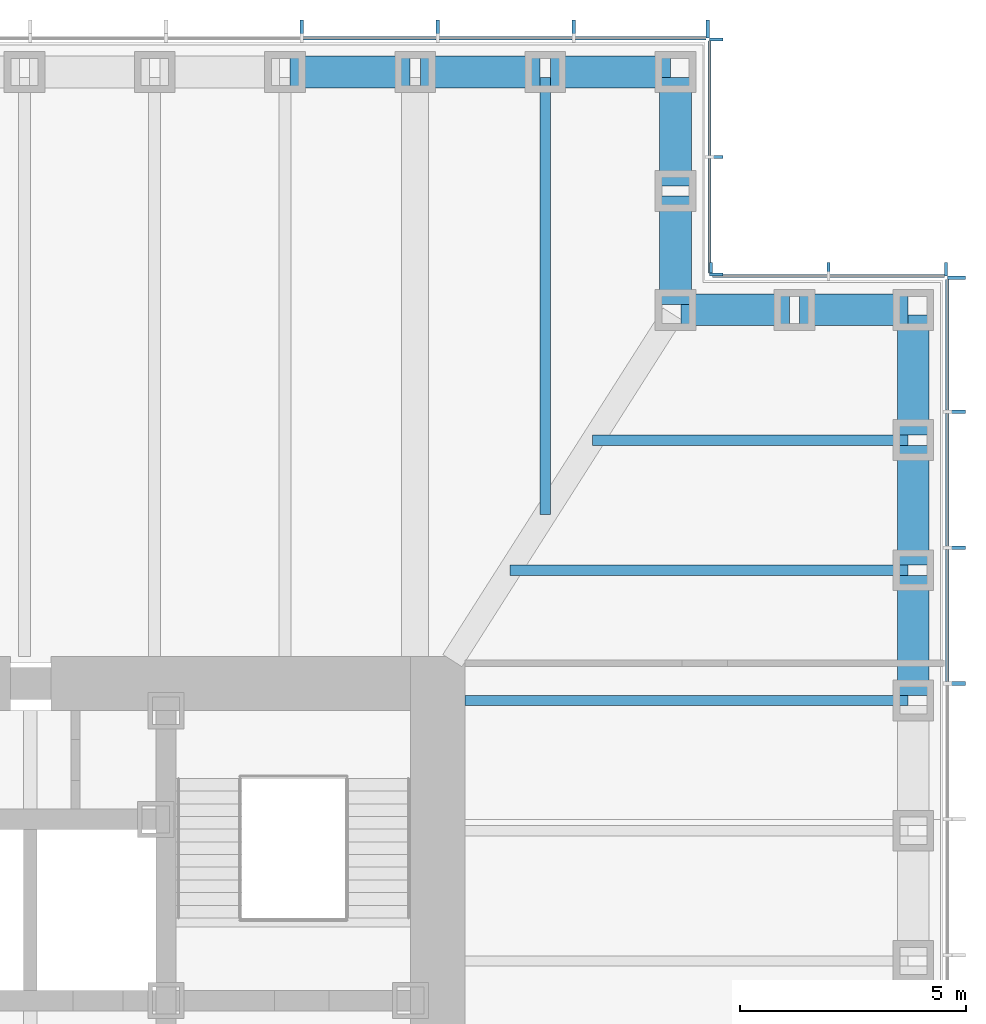
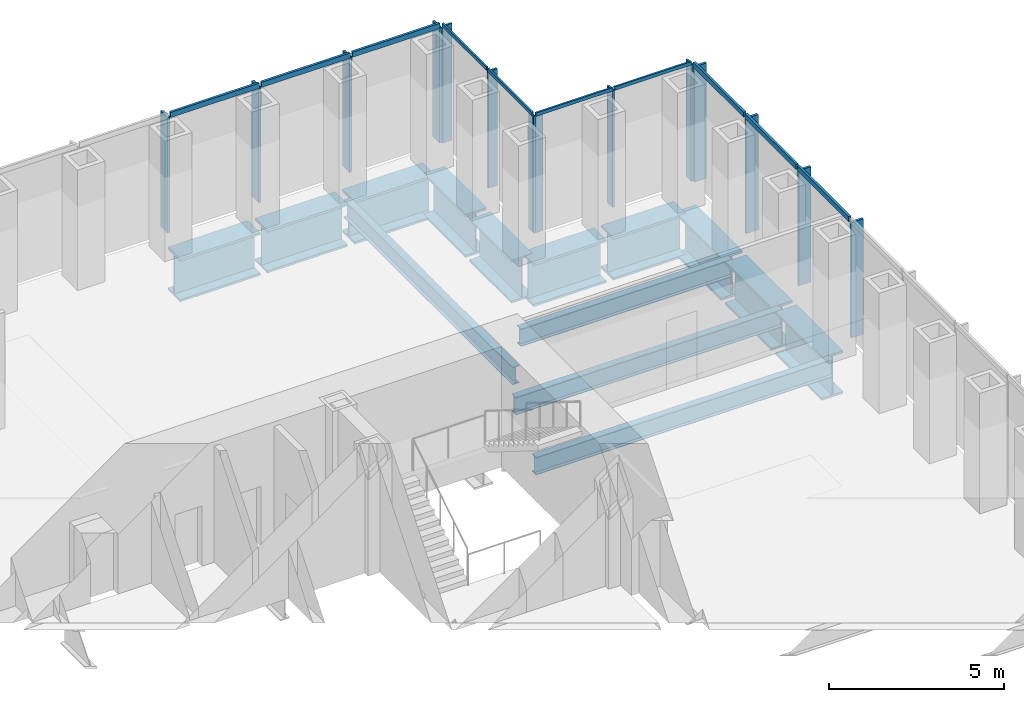
# One storey, part 6 of 16: 24 members, 14 beams, 4 elements without a shape of their own.
"""IFC4 building model written with IfcOpenShell, lengths in metres."""

from ifc_helpers import new_model, si_unit, direction, frame, origin, origin_2d, place, context, subcontext, project, spatial, rectangle, i_section, extrude, material, material_profile, profile_set, type_object, element, aggregate, save


model = new_model("IFC4")

# Units and contexts
model_context = context("Model", 3, precision=1e-05, world=origin(), true_north=direction((0.0, 1.0)))
body_context = subcontext(model_context, "Body", "Model", "MODEL_VIEW")
ifc_project = project(units=[si_unit("LENGTHUNIT", "METRE"), si_unit("AREAUNIT", "SQUARE_METRE"), si_unit("VOLUMEUNIT", "CUBIC_METRE"), si_unit("PLANEANGLEUNIT", "RADIAN"), si_unit("MASSUNIT", "GRAM", prefix="KILO")], contexts=[model_context])

# Site, building, storey
site_placement = place(None, origin())
site = spatial("IfcSite", under=ifc_project, at=site_placement, CompositionType="ELEMENT")
building_placement = place(site_placement, origin())
building = spatial("IfcBuilding", under=site, at=building_placement, Name="Daluyong Arena Tower", CompositionType="ELEMENT")
storey_placement = place(building_placement, frame((0.0, 0.0, 137.5)))
storey = spatial("IfcBuildingStorey", under=building, at=storey_placement, Name="L30", CompositionType="ELEMENT", Elevation=137.5)

# Curtain wall, members
ifc_material_1 = material(Name="Bronze anodised aluminium and glass", Category="aluminium")
curtain_wall_type_1 = type_object("IfcCurtainWallType", Name="Curtain wall CW2", PredefinedType="USERDEFINED", material=ifc_material_1)
curtain_wall_1_placement = place(storey_placement, origin())
curtain_wall_1 = element("IfcCurtainWall", 1, at=curtain_wall_1_placement, inside=storey, type_object=curtain_wall_type_1, Name="curtain wall L30 E", ObjectType="UNITISED CURTAIN WALL", PredefinedType="USERDEFINED")
ifc_material_2 = material(Name="Bronze anodised aluminium fin", Category="aluminium")
ifc_material_profile_1 = material_profile(ifc_material_2, rectangle(XDim=0.39990234375, YDim=0.080078125, at=origin_2d()))
ifc_profile_set_1 = profile_set([ifc_material_profile_1], Name="Bronze anodised aluminium fin")
member_type_1 = type_object("IfcMemberType", Name="CW2 bronze fin 400x80", PredefinedType="MULLION", material=ifc_profile_set_1)
member_1_placement = place(storey_placement, frame((79.449951171875, 89.0, 0.0), z_axis=(0.0, 0.0, 1.0), x_axis=(-1.0, 0.0, 0.0)))
member_1 = element("IfcMember", 2, at=member_1_placement, type_object=member_type_1, Name="curtain wall L30 E fin 10", PredefinedType="MULLION", context=body_context, shape_type="SweptSolid", body=[
    extrude(rectangle(XDim=0.39990234375, YDim=0.080078125, at=origin_2d()), origin(), (0.0, 0.0, 1.0), 4.02001953125),
])
member_2_placement = place(storey_placement, frame((79.449951171875, 92.0, 0.0), z_axis=(0.0, 0.0, 1.0), x_axis=(-1.0, 0.0, 0.0)))
member_2 = element("IfcMember", 3, at=member_2_placement, type_object=member_type_1, Name="curtain wall L30 E fin 11", PredefinedType="MULLION", context=body_context, shape_type="SweptSolid", body=[
    extrude(rectangle(XDim=0.39990234375, YDim=0.080078125, at=origin_2d()), origin(), (0.0, 0.0, 1.0), 4.02001953125),
])
member_3_placement = place(storey_placement, frame((79.449951171875, 95.0, 0.0), z_axis=(0.0, 0.0, 1.0), x_axis=(-1.0, 0.0, 0.0)))
member_3 = element("IfcMember", 4, at=member_3_placement, type_object=member_type_1, Name="curtain wall L30 E fin 12", PredefinedType="MULLION", context=body_context, shape_type="SweptSolid", body=[
    extrude(rectangle(XDim=0.39990234375, YDim=0.080078125, at=origin_2d()), origin(), (0.0, 0.0, 1.0), 4.02001953125),
])
member_4_placement = place(storey_placement, frame((79.449951171875, 97.9599609375, 0.0), z_axis=(0.0, 0.0, 1.0), x_axis=(-1.0, 0.0, 0.0)))
member_4 = element("IfcMember", 5, at=member_4_placement, type_object=member_type_1, Name="curtain wall L30 E fin 13", PredefinedType="MULLION", context=body_context, shape_type="SweptSolid", body=[
    extrude(rectangle(XDim=0.39990234375, YDim=0.080078125, at=origin_2d()), origin(), (0.0, 0.0, 1.0), 4.02001953125),
])

curtain_wall_2_placement = place(storey_placement, origin())
curtain_wall_2 = element("IfcCurtainWall", 6, at=curtain_wall_2_placement, inside=storey, type_object=curtain_wall_type_1, Name="curtain wall L30 N", ObjectType="UNITISED CURTAIN WALL", PredefinedType="USERDEFINED")
member_5_placement = place(storey_placement, frame((73.9599609375, 103.449951171875, 0.0), z_axis=(0.0, 0.0, 1.0), x_axis=(0.0, -1.0, 0.0)))
member_5 = element("IfcMember", 7, at=member_5_placement, type_object=member_type_1, Name="curtain wall L30 N fin 1", PredefinedType="MULLION", context=body_context, shape_type="SweptSolid", body=[
    extrude(rectangle(XDim=0.39990234375, YDim=0.080078125, at=origin_2d()), origin(), (0.0, 0.0, 1.0), 4.02001953125),
])
member_6_placement = place(storey_placement, frame((71.0, 103.449951171875, 0.0), z_axis=(0.0, 0.0, 1.0), x_axis=(0.0, -1.0, 0.0)))
member_6 = element("IfcMember", 8, at=member_6_placement, type_object=member_type_1, Name="curtain wall L30 N fin 2", PredefinedType="MULLION", context=body_context, shape_type="SweptSolid", body=[
    extrude(rectangle(XDim=0.39990234375, YDim=0.080078125, at=origin_2d()), origin(), (0.0, 0.0, 1.0), 4.02001953125),
])
member_7_placement = place(storey_placement, frame((68.0, 103.449951171875, 0.0), z_axis=(0.0, 0.0, 1.0), x_axis=(0.0, -1.0, 0.0)))
member_7 = element("IfcMember", 9, at=member_7_placement, type_object=member_type_1, Name="curtain wall L30 N fin 3", PredefinedType="MULLION", context=body_context, shape_type="SweptSolid", body=[
    extrude(rectangle(XDim=0.39990234375, YDim=0.080078125, at=origin_2d()), origin(), (0.0, 0.0, 1.0), 4.02001953125),
])
member_8_placement = place(storey_placement, frame((65.0, 103.449951171875, 0.0), z_axis=(0.0, 0.0, 1.0), x_axis=(0.0, -1.0, 0.0)))
member_8 = element("IfcMember", 10, at=member_8_placement, type_object=member_type_1, Name="curtain wall L30 N fin 4", PredefinedType="MULLION", context=body_context, shape_type="SweptSolid", body=[
    extrude(rectangle(XDim=0.39990234375, YDim=0.080078125, at=origin_2d()), origin(), (0.0, 0.0, 1.0), 4.02001953125),
])

# Member
ifc_material_3 = material(Name="Bronze anodised aluminium", Category="aluminium")
ifc_material_profile_2 = material_profile(ifc_material_3, rectangle(XDim=0.080078125, YDim=0.179931640625, at=origin_2d()))
ifc_profile_set_2 = profile_set([ifc_material_profile_2], Name="Bronze anodised aluminium")
member_type_2 = type_object("IfcMemberType", Name="CW2 stack transom 180x80", PredefinedType="USERDEFINED", material=ifc_profile_set_2)
member_9_placement = place(storey_placement, frame((79.25, 89.0400390625, 4.110107421875), z_axis=(0.0, 1.0, 0.0), x_axis=(-1.0, 0.0, 0.0)))
member_9 = element("IfcMember", 11, at=member_9_placement, type_object=member_type_2, Name="curtain wall L30 E transom 10", ObjectType="TRANSOM", PredefinedType="USERDEFINED", context=body_context, shape_type="SweptSolid", body=[
    extrude(rectangle(XDim=0.080078125, YDim=0.179931640625, at=origin_2d()), origin(), (0.0, 0.0, 1.0), 2.919921875),
])

member_10_placement = place(storey_placement, frame((79.25, 92.0400390625, 4.110107421875), z_axis=(0.0, 1.0, 0.0), x_axis=(-1.0, 0.0, 0.0)))
member_10 = element("IfcMember", 12, at=member_10_placement, type_object=member_type_2, Name="curtain wall L30 E transom 11", ObjectType="TRANSOM", PredefinedType="USERDEFINED", context=body_context, shape_type="SweptSolid", body=[
    extrude(rectangle(XDim=0.080078125, YDim=0.179931640625, at=origin_2d()), origin(), (0.0, 0.0, 1.0), 2.919921875),
])

member_11_placement = place(storey_placement, frame((79.25, 95.0400390625, 4.110107421875), z_axis=(0.0, 1.0, 0.0), x_axis=(-1.0, 0.0, 0.0)))
member_11 = element("IfcMember", 13, at=member_11_placement, type_object=member_type_2, Name="curtain wall L30 E transom 12", ObjectType="TRANSOM", PredefinedType="USERDEFINED", context=body_context, shape_type="SweptSolid", body=[
    extrude(rectangle(XDim=0.080078125, YDim=0.179931640625, at=origin_2d()), origin(), (0.0, 0.0, 1.0), 2.8798828125),
])

aggregate(curtain_wall_1, [member_1, member_2, member_3, member_4, member_9, member_10, member_11])

member_12_placement = place(storey_placement, frame((73.919921875, 103.25, 4.110107421875), z_axis=(-1.0, 0.0, 0.0), x_axis=(0.0, -1.0, 0.0)))
member_12 = element("IfcMember", 14, at=member_12_placement, type_object=member_type_2, Name="curtain wall L30 N transom 1", ObjectType="TRANSOM", PredefinedType="USERDEFINED", context=body_context, shape_type="SweptSolid", body=[
    extrude(rectangle(XDim=0.080078125, YDim=0.179931640625, at=origin_2d()), origin(), (0.0, 0.0, 1.0), 2.8798828125),
])

member_13_placement = place(storey_placement, frame((70.9599609375, 103.25, 4.110107421875), z_axis=(-1.0, 0.0, 0.0), x_axis=(0.0, -1.0, 0.0)))
member_13 = element("IfcMember", 15, at=member_13_placement, type_object=member_type_2, Name="curtain wall L30 N transom 2", ObjectType="TRANSOM", PredefinedType="USERDEFINED", context=body_context, shape_type="SweptSolid", body=[
    extrude(rectangle(XDim=0.080078125, YDim=0.179931640625, at=origin_2d()), origin(), (0.0, 0.0, 1.0), 2.919921875),
])

member_14_placement = place(storey_placement, frame((67.9599609375, 103.25, 4.110107421875), z_axis=(-1.0, 0.0, 0.0), x_axis=(0.0, -1.0, 0.0)))
member_14 = element("IfcMember", 16, at=member_14_placement, type_object=member_type_2, Name="curtain wall L30 N transom 3", ObjectType="TRANSOM", PredefinedType="USERDEFINED", context=body_context, shape_type="SweptSolid", body=[
    extrude(rectangle(XDim=0.080078125, YDim=0.179931640625, at=origin_2d()), origin(), (0.0, 0.0, 1.0), 2.919921875),
])

aggregate(curtain_wall_2, [member_5, member_6, member_7, member_8, member_12, member_13, member_14])

# Curtain wall, members
ifc_material_4 = material(Name="Bronze anodised aluminium and glass", Category="aluminium")
curtain_wall_type_2 = type_object("IfcCurtainWallType", Name="Curtain wall CW7", PredefinedType="USERDEFINED", material=ifc_material_4)
curtain_wall_3_placement = place(storey_placement, origin())
curtain_wall_3 = element("IfcCurtainWall", 17, at=curtain_wall_3_placement, inside=storey, type_object=curtain_wall_type_2, Name="curtain wall L30 NE-N", ObjectType="UNITISED CURTAIN WALL", PredefinedType="USERDEFINED")
ifc_material_5 = material(Name="Bronze anodised aluminium fin", Category="aluminium")
ifc_material_profile_3 = material_profile(ifc_material_5, rectangle(XDim=0.300048828125, YDim=0.06005859375, at=origin_2d()))
ifc_profile_set_3 = profile_set([ifc_material_profile_3], Name="Bronze anodised aluminium fin")
member_type_3 = type_object("IfcMemberType", Name="CW7 bronze fin 300x60", PredefinedType="MULLION", material=ifc_profile_set_3)
member_15_placement = place(storey_placement, frame((79.219970703125, 98.14990234375, 0.0), z_axis=(0.0, 0.0, 1.0), x_axis=(0.0, -1.0, 0.0)))
member_15 = element("IfcMember", 18, at=member_15_placement, type_object=member_type_3, Name="curtain wall L30 NE-N fin 1", PredefinedType="MULLION", context=body_context, shape_type="SweptSolid", body=[
    extrude(rectangle(XDim=0.300048828125, YDim=0.06005859375, at=origin_2d()), origin(), (0.0, 0.0, 1.0), 4.080078125),
])
member_16_placement = place(storey_placement, frame((76.625, 98.14990234375, 0.0), z_axis=(0.0, 0.0, 1.0), x_axis=(0.0, -1.0, 0.0)))
member_16 = element("IfcMember", 19, at=member_16_placement, type_object=member_type_3, Name="curtain wall L30 NE-N fin 2", PredefinedType="MULLION", context=body_context, shape_type="SweptSolid", body=[
    extrude(rectangle(XDim=0.300048828125, YDim=0.06005859375, at=origin_2d()), origin(), (0.0, 0.0, 1.0), 4.080078125),
])
member_17_placement = place(storey_placement, frame((74.030029296875, 98.14990234375, 0.0), z_axis=(0.0, 0.0, 1.0), x_axis=(0.0, -1.0, 0.0)))
member_17 = element("IfcMember", 20, at=member_17_placement, type_object=member_type_3, Name="curtain wall L30 NE-N fin 3", PredefinedType="MULLION", context=body_context, shape_type="SweptSolid", body=[
    extrude(rectangle(XDim=0.300048828125, YDim=0.06005859375, at=origin_2d()), origin(), (0.0, 0.0, 1.0), 4.080078125),
])

curtain_wall_4_placement = place(storey_placement, origin())
curtain_wall_4 = element("IfcCurtainWall", 21, at=curtain_wall_4_placement, inside=storey, type_object=curtain_wall_type_2, Name="curtain wall L30 NE-E", ObjectType="UNITISED CURTAIN WALL", PredefinedType="USERDEFINED")
member_18_placement = place(storey_placement, frame((74.14990234375, 98.030029296875, 0.0), z_axis=(0.0, 0.0, 1.0), x_axis=(-1.0, 0.0, 0.0)))
member_18 = element("IfcMember", 22, at=member_18_placement, type_object=member_type_3, Name="curtain wall L30 NE-E fin 1", PredefinedType="MULLION", context=body_context, shape_type="SweptSolid", body=[
    extrude(rectangle(XDim=0.300048828125, YDim=0.06005859375, at=origin_2d()), origin(), (0.0, 0.0, 1.0), 4.080078125),
])
member_19_placement = place(storey_placement, frame((74.14990234375, 100.625, 0.0), z_axis=(0.0, 0.0, 1.0), x_axis=(-1.0, 0.0, 0.0)))
member_19 = element("IfcMember", 23, at=member_19_placement, type_object=member_type_3, Name="curtain wall L30 NE-E fin 2", PredefinedType="MULLION", context=body_context, shape_type="SweptSolid", body=[
    extrude(rectangle(XDim=0.300048828125, YDim=0.06005859375, at=origin_2d()), origin(), (0.0, 0.0, 1.0), 4.080078125),
])
member_20_placement = place(storey_placement, frame((74.14990234375, 103.219970703125, 0.0), z_axis=(0.0, 0.0, 1.0), x_axis=(-1.0, 0.0, 0.0)))
member_20 = element("IfcMember", 24, at=member_20_placement, type_object=member_type_3, Name="curtain wall L30 NE-E fin 3", PredefinedType="MULLION", context=body_context, shape_type="SweptSolid", body=[
    extrude(rectangle(XDim=0.300048828125, YDim=0.06005859375, at=origin_2d()), origin(), (0.0, 0.0, 1.0), 4.080078125),
])

# Member
ifc_material_6 = material(Name="Bronze anodised aluminium", Category="aluminium")
ifc_material_profile_4 = material_profile(ifc_material_6, rectangle(XDim=0.06005859375, YDim=0.1201171875, at=origin_2d()))
ifc_profile_set_4 = profile_set([ifc_material_profile_4], Name="Bronze anodised aluminium")
member_type_4 = type_object("IfcMemberType", Name="CW7 stack transom 120x60", PredefinedType="USERDEFINED", material=ifc_profile_set_4)
member_21_placement = place(storey_placement, frame((79.18994140625, 98.0, 4.139892578125), z_axis=(-1.0, 0.0, 0.0), x_axis=(0.0, -1.0, 0.0)))
member_21 = element("IfcMember", 25, at=member_21_placement, type_object=member_type_4, Name="curtain wall L30 NE-N transom 1", ObjectType="TRANSOM", PredefinedType="USERDEFINED", context=body_context, shape_type="SweptSolid", body=[
    extrude(rectangle(XDim=0.06005859375, YDim=0.1201171875, at=origin_2d()), origin(), (0.0, 0.0, 1.0), 2.534912109375),
])

member_22_placement = place(storey_placement, frame((76.594970703125, 98.0, 4.139892578125), z_axis=(-1.0, 0.0, 0.0), x_axis=(0.0, -1.0, 0.0)))
member_22 = element("IfcMember", 26, at=member_22_placement, type_object=member_type_4, Name="curtain wall L30 NE-N transom 2", ObjectType="TRANSOM", PredefinedType="USERDEFINED", context=body_context, shape_type="SweptSolid", body=[
    extrude(rectangle(XDim=0.06005859375, YDim=0.1201171875, at=origin_2d()), origin(), (0.0, 0.0, 1.0), 2.534912109375),
])

aggregate(curtain_wall_3, [member_15, member_16, member_17, member_21, member_22])

member_23_placement = place(storey_placement, frame((74.0, 98.06005859375, 4.139892578125), z_axis=(0.0, 1.0, 0.0), x_axis=(-1.0, 0.0, 0.0)))
member_23 = element("IfcMember", 27, at=member_23_placement, type_object=member_type_4, Name="curtain wall L30 NE-E transom 1", ObjectType="TRANSOM", PredefinedType="USERDEFINED", context=body_context, shape_type="SweptSolid", body=[
    extrude(rectangle(XDim=0.06005859375, YDim=0.1201171875, at=origin_2d()), origin(), (0.0, 0.0, 1.0), 2.534912109375),
])

member_24_placement = place(storey_placement, frame((74.0, 100.655029296875, 4.139892578125), z_axis=(0.0, 1.0, 0.0), x_axis=(-1.0, 0.0, 0.0)))
member_24 = element("IfcMember", 28, at=member_24_placement, type_object=member_type_4, Name="curtain wall L30 NE-E transom 2", ObjectType="TRANSOM", PredefinedType="USERDEFINED", context=body_context, shape_type="SweptSolid", body=[
    extrude(rectangle(XDim=0.06005859375, YDim=0.1201171875, at=origin_2d()), origin(), (0.0, 0.0, 1.0), 2.534912109375),
])

aggregate(curtain_wall_4, [member_18, member_19, member_20, member_23, member_24])

# Beams
ifc_material_7 = material(Name="Steel ASTM A992 Grade 50", Category="steel")
ifc_material_profile_5 = material_profile(ifc_material_7, i_section(OverallWidth=0.22900390625, OverallDepth=0.612060546875, WebThickness=0.011962890625, FlangeThickness=0.01953125, at=origin_2d()))
ifc_profile_set_5 = profile_set([ifc_material_profile_5], Name="Steel ASTM A992 Grade 50")
beam_type_1 = type_object("IfcBeamType", Name="Floor beam W24X84", PredefinedType="BEAM", material=ifc_profile_set_5)
beam_1_placement = place(storey_placement, frame((78.385009765625, 88.625, -0.466064453125), z_axis=(-1.0, 0.0, 0.0), x_axis=(0.0, -1.0, 0.0)))
element("IfcBeam", 29, at=beam_1_placement, inside=storey, type_object=beam_type_1, Name="floor beam FB3", PredefinedType="BEAM", context=body_context, shape_type="SweptSolid", body=[
    extrude(i_section(OverallWidth=0.22900390625, OverallDepth=0.612060546875, WebThickness=0.011962890625, FlangeThickness=0.01953125, at=origin_2d()), origin(), (0.0, 0.0, 1.0), 9.784912109375),
])
beam_2_placement = place(storey_placement, frame((78.385009765625, 91.5, -0.466064453125), z_axis=(-1.0, 0.0, 0.0), x_axis=(0.0, -1.0, 0.0)))
element("IfcBeam", 30, at=beam_2_placement, inside=storey, type_object=beam_type_1, Name="floor beam FB3", PredefinedType="BEAM", context=body_context, shape_type="SweptSolid", body=[
    extrude(i_section(OverallWidth=0.22900390625, OverallDepth=0.612060546875, WebThickness=0.011962890625, FlangeThickness=0.01953125, at=origin_2d()), origin(), (0.0, 0.0, 1.0), 8.794189453125),
])
beam_3_placement = place(storey_placement, frame((78.385009765625, 94.375, -0.466064453125), z_axis=(-1.0, 0.0, 0.0), x_axis=(0.0, -1.0, 0.0)))
element("IfcBeam", 31, at=beam_3_placement, inside=storey, type_object=beam_type_1, Name="floor beam FB3", PredefinedType="BEAM", context=body_context, shape_type="SweptSolid", body=[
    extrude(i_section(OverallWidth=0.22900390625, OverallDepth=0.612060546875, WebThickness=0.011962890625, FlangeThickness=0.01953125, at=origin_2d()), origin(), (0.0, 0.0, 1.0), 6.964599609375),
])
beam_4_placement = place(storey_placement, frame((70.375, 102.385009765625, -0.466064453125), z_axis=(0.0, -1.0, 0.0), x_axis=(1.0, 0.0, 0.0)))
element("IfcBeam", 32, at=beam_4_placement, inside=storey, type_object=beam_type_1, Name="floor beam FB3", PredefinedType="BEAM", context=body_context, shape_type="SweptSolid", body=[
    extrude(i_section(OverallWidth=0.22900390625, OverallDepth=0.612060546875, WebThickness=0.011962890625, FlangeThickness=0.01953125, at=origin_2d()), origin(), (0.0, 0.0, 1.0), 9.65283203125),
])
ifc_material_8 = material(Name="Steel ASTM A572 Grade 50", Category="steel")
ifc_material_profile_6 = material_profile(ifc_material_8, i_section(OverallWidth=0.699951171875, OverallDepth=1.5, WebThickness=0.04, FlangeThickness=0.08, at=origin_2d()))
ifc_profile_set_6 = profile_set([ifc_material_profile_6], Name="Steel ASTM A572 Grade 50")
beam_type_2 = type_object("IfcBeamType", Name="Spandrel Z2 PG1500X700", PredefinedType="SPANDREL", material=ifc_profile_set_6)
for number, where, z_axis, x_axis, name in (
    (33, (78.5, 88.739990234375, -0.909912109375), (0.0, 1.0, 0.0), (-1.0, 0.0, 0.0), "spandrel z2 SB6"),
    (34, (78.5, 91.614990234375, -0.909912109375), (0.0, 1.0, 0.0), (-1.0, 0.0, 0.0), "spandrel z2 SB6"),
    (35, (78.5, 94.489990234375, -0.909912109375), (0.0, 1.0, 0.0), (-1.0, 0.0, 0.0), "spandrel z2 SB6"),
):
    element("IfcBeam", number, at=place(storey_placement, frame(where, z_axis=z_axis, x_axis=x_axis)), inside=storey, type_object=beam_type_2, Name=name, PredefinedType="SPANDREL", context=body_context, shape_type="SweptSolid", body=[
        extrude(i_section(OverallWidth=0.699951171875, OverallDepth=1.5, WebThickness=0.04, FlangeThickness=0.08, at=origin_2d()), origin(), (0.0, 0.0, 1.0), 2.64501953125),
    ])
for number, where, z_axis, x_axis, name in (
    (36, (78.385009765625, 97.25, -0.909912109375), (-1.0, 0.0, 0.0), (0.0, -1.0, 0.0), "spandrel z2 SB6"),
    (37, (75.760009765625, 97.25, -0.909912109375), (-1.0, 0.0, 0.0), (0.0, -1.0, 0.0), "spandrel z2 SB6"),
    (38, (73.25, 97.364990234375, -0.909912109375), (0.0, 1.0, 0.0), (-1.0, 0.0, 0.0), "spandrel z2 SB6"),
    (39, (73.25, 99.989990234375, -0.909912109375), (0.0, 1.0, 0.0), (-1.0, 0.0, 0.0), "spandrel z2 SB6"),
):
    element("IfcBeam", number, at=place(storey_placement, frame(where, z_axis=z_axis, x_axis=x_axis)), inside=storey, type_object=beam_type_2, Name=name, PredefinedType="SPANDREL", context=body_context, shape_type="SweptSolid", body=[
        extrude(i_section(OverallWidth=0.699951171875, OverallDepth=1.5, WebThickness=0.04, FlangeThickness=0.08, at=origin_2d()), origin(), (0.0, 0.0, 1.0), 2.39501953125),
    ])
for number, where, z_axis, x_axis, name in (
    (40, (73.135009765625, 102.5, -0.909912109375), (-1.0, 0.0, 0.0), (0.0, -1.0, 0.0), "spandrel z2 SB6"),
    (41, (70.260009765625, 102.5, -0.909912109375), (-1.0, 0.0, 0.0), (0.0, -1.0, 0.0), "spandrel z2 SB6"),
    (42, (67.385009765625, 102.5, -0.909912109375), (-1.0, 0.0, 0.0), (0.0, -1.0, 0.0), "spandrel z2 SB6"),
):
    element("IfcBeam", number, at=place(storey_placement, frame(where, z_axis=z_axis, x_axis=x_axis)), inside=storey, type_object=beam_type_2, Name=name, PredefinedType="SPANDREL", context=body_context, shape_type="SweptSolid", body=[
        extrude(i_section(OverallWidth=0.699951171875, OverallDepth=1.5, WebThickness=0.04, FlangeThickness=0.08, at=origin_2d()), origin(), (0.0, 0.0, 1.0), 2.64501953125),
    ])

save(model, "model.ifc")
